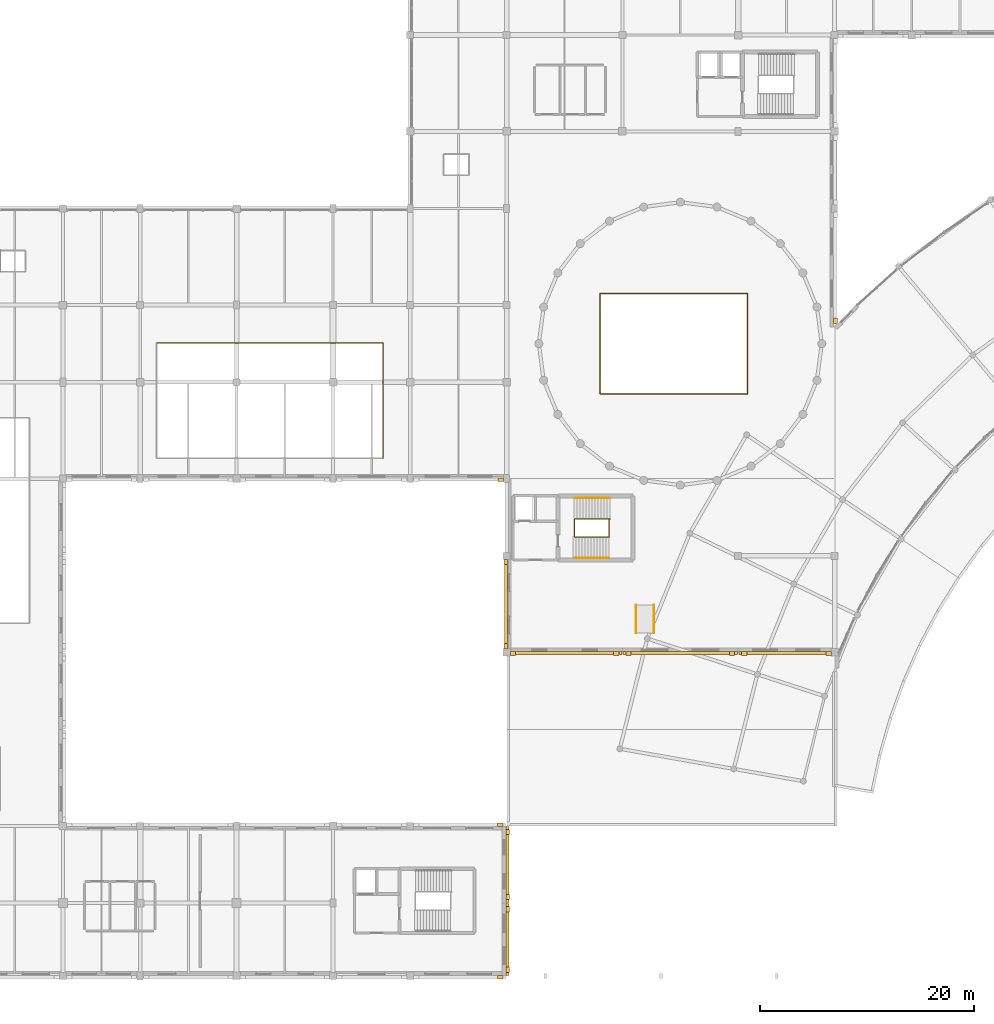
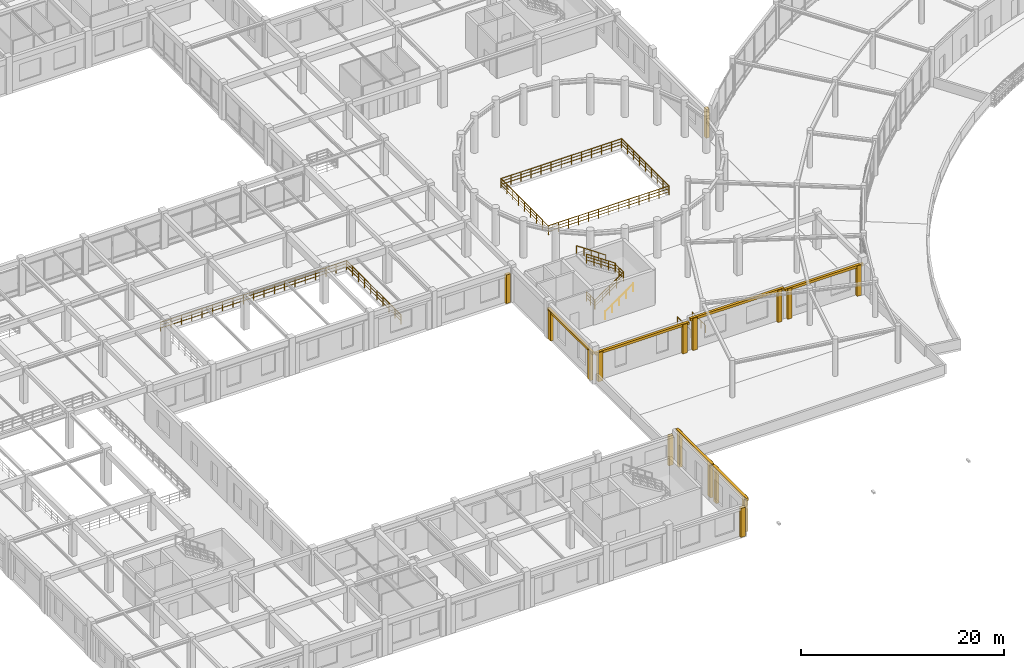
# One storey, part 54 of 62: 22 coverings, 14 railings.
"""IFC4 building model written with IfcOpenShell, lengths in metres."""

from ifc_helpers import new_model, si_unit, direction, frame, frame_2d, origin, origin_2d, place, context, subcontext, project, spatial, rectangle, circle, extrude, material, layer, layer_set, type_object, element, save


model = new_model("IFC4")

# Units and contexts
model_context = context("Model", 3, precision=1e-05, world=origin(), true_north=direction((0.0, 1.0)))
body_context = subcontext(model_context, "Body", "Model", "MODEL_VIEW")
ifc_project = project(units=[si_unit("LENGTHUNIT", "METRE"), si_unit("AREAUNIT", "SQUARE_METRE"), si_unit("VOLUMEUNIT", "CUBIC_METRE"), si_unit("PLANEANGLEUNIT", "RADIAN"), si_unit("MASSUNIT", "GRAM", prefix="KILO")], contexts=[model_context])

# Site, building, storey
site_placement = place(None, origin())
site = spatial("IfcSite", under=ifc_project, at=site_placement, CompositionType="ELEMENT")
building_placement = place(site_placement, origin())
building = spatial("IfcBuilding", under=site, at=building_placement, Name="Clarverna Civic Hall", CompositionType="ELEMENT")
storey_placement = place(building_placement, frame((0.0, 0.0, 5.10009765625)))
storey = spatial("IfcBuildingStorey", under=building, at=storey_placement, Name="L01", CompositionType="ELEMENT", Elevation=5.10009765625)

# Coverings
ifc_material_1 = material(Name="Montjuic Buff Limestone Ashlar Cladding", Category="masonry")
ifc_layer = layer(ifc_material_1, 0.070068359375)
ifc_layer_set = layer_set([ifc_layer], Name="Montjuic Buff Limestone Ashlar Cladding")
covering_type = type_object("IfcCoveringType", Name="CV-CL2", PredefinedType="CLADDING", material=ifc_layer_set)
covering_1_placement = place(storey_placement, frame((97.284912109375, 61.38671875, 0.0), z_axis=(0.0, 0.0, 1.0), x_axis=(0.0, -1.0, 0.0)))
element("IfcCovering", 1, at=covering_1_placement, inside=storey, type_object=covering_type, Name="CV-CL2-314", PredefinedType="CLADDING", context=body_context, shape_type="SweptSolid", body=[
    extrude(rectangle(XDim=0.5, YDim=0.340087890625, at=frame_2d((0.25, 0.0))), origin(), (0.0, 0.0, 1.0), 3.4599609375),
])
covering_2_placement = place(storey_placement, frame((97.1650390625, 30.1201171875, 3.3798828125), z_axis=(0.0, 0.0, 1.0), x_axis=(-1.0, 0.0, 0.0)))
element("IfcCovering", 2, at=covering_2_placement, inside=storey, type_object=covering_type, Name="CV-CL2-317", PredefinedType="CLADDING", context=body_context, shape_type="SweptSolid", body=[
    extrude(rectangle(XDim=8.905029296875, YDim=0.280029296875, at=frame_2d((4.45263671875, 0.0))), origin(), (0.0, 0.0, 1.0), 0.300048828125),
])
for number, where, z_axis, x_axis, name in (
    (3, (96.905029296875, 30.090087890625, 0.0), (0.0, 0.0, 1.0), (-1.0, 0.0, 0.0), "CV-CL2-318"),
    (4, (89.02001953125, 30.090087890625, 0.0), (0.0, 0.0, 1.0), (-1.0, 0.0, 0.0), "CV-CL2-319"),
):
    element("IfcCovering", number, at=place(storey_placement, frame(where, z_axis=z_axis, x_axis=x_axis)), inside=storey, type_object=covering_type, Name=name, PredefinedType="CLADDING", context=body_context, shape_type="SweptSolid", body=[
        extrude(rectangle(XDim=0.5, YDim=0.340087890625, at=frame_2d((0.25, 0.0))), origin(), (0.0, 0.0, 1.0), 3.659912109375),
    ])
covering_3_placement = place(storey_placement, frame((88.139892578125, 30.1201171875, 3.60986328125), z_axis=(0.0, 0.0, 1.0), x_axis=(-1.0, 0.0, 0.0)))
element("IfcCovering", 5, at=covering_3_placement, inside=storey, type_object=covering_type, Name="CV-CL2-320", PredefinedType="CLADDING", context=body_context, shape_type="SweptSolid", body=[
    extrude(rectangle(XDim=10.679931640625, YDim=0.280029296875, at=frame_2d((5.33984375, 0.0))), origin(), (0.0, 0.0, 1.0), 0.300048828125),
])
for number, where, z_axis, x_axis, name in (
    (6, (87.8798828125, 30.090087890625, 0.0), (0.0, 0.0, 1.0), (-1.0, 0.0, 0.0), "CV-CL2-321"),
    (7, (78.219970703125, 30.090087890625, 0.0), (0.0, 0.0, 1.0), (-1.0, 0.0, 0.0), "CV-CL2-322"),
):
    element("IfcCovering", number, at=place(storey_placement, frame(where, z_axis=z_axis, x_axis=x_axis)), inside=storey, type_object=covering_type, Name=name, PredefinedType="CLADDING", context=body_context, shape_type="SweptSolid", body=[
        extrude(rectangle(XDim=0.5, YDim=0.340087890625, at=frame_2d((0.25, 0.0))), origin(), (0.0, 0.0, 1.0), 3.889892578125),
    ])
covering_4_placement = place(storey_placement, frame((77.340087890625, 30.1201171875, 3.260009765625), z_axis=(0.0, 0.0, 1.0), x_axis=(-1.0, 0.0, 0.0)))
element("IfcCovering", 8, at=covering_4_placement, inside=storey, type_object=covering_type, Name="CV-CL2-323", PredefinedType="CLADDING", context=body_context, shape_type="SweptSolid", body=[
    extrude(rectangle(XDim=10.655029296875, YDim=0.280029296875, at=frame_2d((5.32763671875, 0.0))), origin(), (0.0, 0.0, 1.0), 0.2998046875),
])
for number, where, z_axis, x_axis, name in (
    (9, (77.080078125, 30.090087890625, 0.0), (0.0, 0.0, 1.0), (-1.0, 0.0, 0.0), "CV-CL2-324"),
    (10, (67.445068359375, 30.090087890625, 0.0), (0.0, 0.0, 1.0), (-1.0, 0.0, 0.0), "CV-CL2-325"),
):
    element("IfcCovering", number, at=place(storey_placement, frame(where, z_axis=z_axis, x_axis=x_axis)), inside=storey, type_object=covering_type, Name=name, PredefinedType="CLADDING", context=body_context, shape_type="SweptSolid", body=[
        extrude(rectangle(XDim=0.5, YDim=0.340087890625, at=frame_2d((0.25, 0.0))), origin(), (0.0, 0.0, 1.0), 3.539794921875),
    ])
covering_5_placement = place(storey_placement, frame((66.544921875, 30.260009765625, 3.260009765625), z_axis=(0.0, 0.0, 1.0), x_axis=(0.0, 1.0, 0.0)))
element("IfcCovering", 11, at=covering_5_placement, inside=storey, type_object=covering_type, Name="CV-CL2-326", PredefinedType="CLADDING", context=body_context, shape_type="SweptSolid", body=[
    extrude(rectangle(XDim=8.8798828125, YDim=0.280029296875, at=frame_2d((4.43994140625, 0.0))), origin(), (0.0, 0.0, 1.0), 0.2998046875),
])
for number, where, z_axis, x_axis, name in (
    (12, (66.514892578125, 30.52001953125, 0.0), (0.0, 0.0, 1.0), (0.0, 1.0, 0.0), "CV-CL2-327"),
    (13, (66.514892578125, 38.3798828125, 0.0), (0.0, 0.0, 1.0), (0.0, 1.0, 0.0), "CV-CL2-328"),
):
    element("IfcCovering", number, at=place(storey_placement, frame(where, z_axis=z_axis, x_axis=x_axis)), inside=storey, type_object=covering_type, Name=name, PredefinedType="CLADDING", context=body_context, shape_type="SweptSolid", body=[
        extrude(rectangle(XDim=0.5, YDim=0.340087890625, at=frame_2d((0.25, 0.0))), origin(), (0.0, 0.0, 1.0), 3.539794921875),
    ])
covering_6_placement = place(storey_placement, frame((66.304931640625, 46.2900390625, 0.0), z_axis=(0.0, 0.0, 1.0), x_axis=(-1.0, 0.0, 0.0)))
element("IfcCovering", 14, at=covering_6_placement, inside=storey, type_object=covering_type, Name="CV-CL2-330", PredefinedType="CLADDING", context=body_context, shape_type="SweptSolid", body=[
    extrude(rectangle(XDim=0.5, YDim=0.340087890625, at=frame_2d((0.25, 0.0))), origin(), (0.0, 0.0, 1.0), 3.4599609375),
])
covering_7_placement = place(storey_placement, frame((65.7548828125, 14.110107421875, 0.0), z_axis=(0.0, 0.0, 1.0), x_axis=(1.0, 0.0, 0.0)))
element("IfcCovering", 15, at=covering_7_placement, inside=storey, type_object=covering_type, Name="CV-CL2-370", PredefinedType="CLADDING", context=body_context, shape_type="SweptSolid", body=[
    extrude(rectangle(XDim=0.5, YDim=0.340087890625, at=frame_2d((0.25, 0.0))), origin(), (0.0, 0.0, 1.0), 3.539794921875),
])
covering_8_placement = place(storey_placement, frame((66.655029296875, 13.93994140625, 3.93994140625), z_axis=(0.0, 0.0, 1.0), x_axis=(0.0, -1.0, 0.0)))
element("IfcCovering", 16, at=covering_8_placement, inside=storey, type_object=covering_type, Name="CV-CL2-371", PredefinedType="CLADDING", context=body_context, shape_type="SweptSolid", body=[
    extrude(rectangle(XDim=7.079833984375, YDim=0.280029296875, at=frame_2d((3.5400390625, 0.0))), origin(), (0.0, 0.0, 1.0), 0.300048828125),
])
for number, where, z_axis, x_axis, name in (
    (17, (66.68505859375, 13.679931640625, 0.0), (0.0, 0.0, 1.0), (0.0, -1.0, 0.0), "CV-CL2-372"),
    (18, (66.68505859375, 7.6201171875, 0.0), (0.0, 0.0, 1.0), (0.0, -1.0, 0.0), "CV-CL2-373"),
):
    element("IfcCovering", number, at=place(storey_placement, frame(where, z_axis=z_axis, x_axis=x_axis)), inside=storey, type_object=covering_type, Name=name, PredefinedType="CLADDING", context=body_context, shape_type="SweptSolid", body=[
        extrude(rectangle(XDim=0.5, YDim=0.340087890625, at=frame_2d((0.25, 0.0))), origin(), (0.0, 0.0, 1.0), 4.219970703125),
    ])
covering_9_placement = place(storey_placement, frame((66.655029296875, 6.739990234375, 3.93994140625), z_axis=(0.0, 0.0, 1.0), x_axis=(0.0, -1.0, 0.0)))
element("IfcCovering", 19, at=covering_9_placement, inside=storey, type_object=covering_type, Name="CV-CL2-374", PredefinedType="CLADDING", context=body_context, shape_type="SweptSolid", body=[
    extrude(rectangle(XDim=6.679931640625, YDim=0.280029296875, at=frame_2d((3.33984375, 0.0))), origin(), (0.0, 0.0, 1.0), 0.300048828125),
])
for number, where, z_axis, x_axis, name in (
    (20, (66.68505859375, 6.47998046875, 0.0), (0.0, 0.0, 1.0), (0.0, -1.0, 0.0), "CV-CL2-375"),
    (21, (66.68505859375, 0.820068359375, 0.0), (0.0, 0.0, 1.0), (0.0, -1.0, 0.0), "CV-CL2-376"),
):
    element("IfcCovering", number, at=place(storey_placement, frame(where, z_axis=z_axis, x_axis=x_axis)), inside=storey, type_object=covering_type, Name=name, PredefinedType="CLADDING", context=body_context, shape_type="SweptSolid", body=[
        extrude(rectangle(XDim=0.5, YDim=0.340087890625, at=frame_2d((0.25, 0.0))), origin(), (0.0, 0.0, 1.0), 4.219970703125),
    ])
covering_10_placement = place(storey_placement, frame((66.2548828125, -0.110107421875, 0.0), z_axis=(0.0, 0.0, 1.0), x_axis=(-1.0, 0.0, 0.0)))
element("IfcCovering", 22, at=covering_10_placement, inside=storey, type_object=covering_type, Name="CV-CL2-378", PredefinedType="CLADDING", context=body_context, shape_type="SweptSolid", body=[
    extrude(rectangle(XDim=0.5, YDim=0.340087890625, at=frame_2d((0.25, 0.0))), origin(), (0.0, 0.0, 1.0), 3.5),
])

# Railings
ifc_material_2 = material(Name="Anodised Bronze Architectural Balustrade")
railing_type_1 = type_object("IfcRailingType", Name="GR-02", PredefinedType="BALUSTRADE", material=ifc_material_2)
railing_1_placement = place(storey_placement, frame((72.949951171875, 40.9599609375, 0.0)))
element("IfcRailing", 23, at=railing_1_placement, inside=storey, type_object=railing_type_1, Name="GR-02-095", PredefinedType="BALUSTRADE", context=body_context, shape_type="SweptSolid", body=[
    extrude(circle(Radius=0.02392578125, at=origin_2d()), frame((0.0, 0.0, 1.09619140625), z_axis=(0.818457937252, 0.0, 0.574566449551), x_axis=(0.0, 1.0, 0.0)), (0.0, 0.0, 1.0), 3.916015625),
    extrude(circle(Radius=0.011962890625, at=origin_2d()), frame((0.0, 0.0, 0.39208984375), z_axis=(0.818457937252, 0.0, 0.574566449551), x_axis=(0.0, 1.0, 0.0)), (0.0, 0.0, 1.0), 3.916015625),
    extrude(circle(Radius=0.011962890625, at=origin_2d()), frame((0.0, 0.0, 0.76171875), z_axis=(0.818457937252, 0.0, 0.574566449551), x_axis=(0.0, 1.0, 0.0)), (0.0, 0.0, 1.0), 3.916015625),
    extrude(circle(Radius=0.02099609375, at=origin_2d()), origin(), (0.0, 0.0, 1.0), 1.072021484375),
    extrude(circle(Radius=0.02099609375, at=origin_2d()), frame((0.80126953125, 0.0, 0.5625)), (0.0, 0.0, 1.0), 1.072021484375),
    extrude(circle(Radius=0.02099609375, at=origin_2d()), frame((1.6025390625, 0.0, 1.125)), (0.0, 0.0, 1.0), 1.072021484375),
    extrude(circle(Radius=0.02099609375, at=origin_2d()), frame((2.40380859375, 0.0, 1.6875)), (0.0, 0.0, 1.0), 1.072021484375),
    extrude(circle(Radius=0.02099609375, at=origin_2d()), frame((3.205078125, 0.0, 2.25)), (0.0, 0.0, 1.0), 1.072021484375),
])
railing_2_placement = place(storey_placement, frame((76.155029296875, 40.9599609375, 2.25)))
element("IfcRailing", 24, at=railing_2_placement, inside=storey, type_object=railing_type_1, Name="GR-02-096", PredefinedType="BALUSTRADE", context=body_context, shape_type="SweptSolid", body=[
    extrude(circle(Radius=0.02392578125, at=origin_2d()), frame((0.0, 0.0, 1.09619140625), z_axis=(0.0, 1.0, 0.0), x_axis=(-1.0, 0.0, 0.0)), (0.0, 0.0, 1.0), 1.679931640625),
    extrude(circle(Radius=0.011962890625, at=origin_2d()), frame((0.0, 0.0, 0.39208984375), z_axis=(0.0, 1.0, 0.0), x_axis=(-1.0, 0.0, 0.0)), (0.0, 0.0, 1.0), 1.679931640625),
    extrude(circle(Radius=0.011962890625, at=origin_2d()), frame((0.0, 0.0, 0.76171875), z_axis=(0.0, 1.0, 0.0), x_axis=(-1.0, 0.0, 0.0)), (0.0, 0.0, 1.0), 1.679931640625),
    extrude(circle(Radius=0.02099609375, at=origin_2d()), origin(), (0.0, 0.0, 1.0), 1.072021484375),
    extrude(circle(Radius=0.02099609375, at=origin_2d()), frame((0.0, 0.83984375, 0.0)), (0.0, 0.0, 1.0), 1.072021484375),
    extrude(circle(Radius=0.02099609375, at=origin_2d()), frame((0.0, 1.679931640625, 0.0)), (0.0, 0.0, 1.0), 1.072021484375),
])
railing_3_placement = place(storey_placement, frame((76.2451171875, 42.639892578125, 2.25)))
element("IfcRailing", 25, at=railing_3_placement, inside=storey, type_object=railing_type_1, Name="GR-02-097", PredefinedType="BALUSTRADE", context=body_context, shape_type="SweptSolid", body=[
    extrude(circle(Radius=0.02392578125, at=origin_2d()), frame((0.0, 0.0, 1.09619140625), z_axis=(-0.825842681189, 0.0, 0.563900581598), x_axis=(0.0, -1.0, 0.0)), (0.0, 0.0, 1.0), 3.989990234375),
    extrude(circle(Radius=0.011962890625, at=origin_2d()), frame((0.0, 0.0, 0.39208984375), z_axis=(-0.825842681189, 0.0, 0.563900581598), x_axis=(0.0, -1.0, 0.0)), (0.0, 0.0, 1.0), 3.989990234375),
    extrude(circle(Radius=0.011962890625, at=origin_2d()), frame((0.0, 0.0, 0.76171875), z_axis=(-0.825842681189, 0.0, 0.563900581598), x_axis=(0.0, -1.0, 0.0)), (0.0, 0.0, 1.0), 3.989990234375),
    extrude(circle(Radius=0.02099609375, at=origin_2d()), origin(), (0.0, 0.0, 1.0), 1.072021484375),
    extrude(circle(Radius=0.02099609375, at=origin_2d()), frame((-0.82373046875, 0.0, 0.5625)), (0.0, 0.0, 1.0), 1.072021484375),
    extrude(circle(Radius=0.02099609375, at=origin_2d()), frame((-1.6474609375, 0.0, 1.125)), (0.0, 0.0, 1.0), 1.072021484375),
    extrude(circle(Radius=0.02099609375, at=origin_2d()), frame((-2.471435546875, 0.0, 1.6875)), (0.0, 0.0, 1.0), 1.072021484375),
    extrude(circle(Radius=0.02099609375, at=origin_2d()), frame((-3.295166015625, 0.0, 2.25)), (0.0, 0.0, 1.0), 1.072021484375),
])
railing_4_placement = place(storey_placement, frame((72.909912109375, 41.0, 0.0)))
element("IfcRailing", 26, at=railing_4_placement, inside=storey, type_object=railing_type_1, Name="GR-02-098", PredefinedType="BALUSTRADE", context=body_context, shape_type="SweptSolid", body=[
    extrude(circle(Radius=0.02392578125, at=origin_2d()), frame((0.0, 0.0, 1.09619140625), z_axis=(0.0, 1.0, 0.0), x_axis=(-1.0, 0.0, 0.0)), (0.0, 0.0, 1.0), 1.60009765625),
    extrude(circle(Radius=0.011962890625, at=origin_2d()), frame((0.0, 0.0, 0.39208984375), z_axis=(0.0, 1.0, 0.0), x_axis=(-1.0, 0.0, 0.0)), (0.0, 0.0, 1.0), 1.60009765625),
    extrude(circle(Radius=0.011962890625, at=origin_2d()), frame((0.0, 0.0, 0.76171875), z_axis=(0.0, 1.0, 0.0), x_axis=(-1.0, 0.0, 0.0)), (0.0, 0.0, 1.0), 1.60009765625),
    extrude(circle(Radius=0.02099609375, at=origin_2d()), origin(), (0.0, 0.0, 1.0), 1.072021484375),
    extrude(circle(Radius=0.02099609375, at=origin_2d()), frame((0.0, 0.800048828125, 0.0)), (0.0, 0.0, 1.0), 1.072021484375),
    extrude(circle(Radius=0.02099609375, at=origin_2d()), frame((0.0, 1.60009765625, 0.0)), (0.0, 0.0, 1.0), 1.072021484375),
])
railing_5_placement = place(storey_placement, frame((75.320068359375, 54.320068359375, 0.0)))
element("IfcRailing", 27, at=railing_5_placement, inside=storey, type_object=railing_type_1, Name="GR-02-212", PredefinedType="BALUSTRADE", context=body_context, shape_type="SweptSolid", body=[
    extrude(circle(Radius=0.02392578125, at=origin_2d()), frame((0.0, 0.0, 1.09619140625), z_axis=(0.0, 1.0, 0.0), x_axis=(-1.0, 0.0, 0.0)), (0.0, 0.0, 1.0), 9.35986328125),
    extrude(circle(Radius=0.011962890625, at=origin_2d()), frame((0.0, 0.0, 0.39208984375), z_axis=(0.0, 1.0, 0.0), x_axis=(-1.0, 0.0, 0.0)), (0.0, 0.0, 1.0), 9.35986328125),
    extrude(circle(Radius=0.011962890625, at=origin_2d()), frame((0.0, 0.0, 0.76171875), z_axis=(0.0, 1.0, 0.0), x_axis=(-1.0, 0.0, 0.0)), (0.0, 0.0, 1.0), 9.35986328125),
    extrude(circle(Radius=0.02099609375, at=origin_2d()), origin(), (0.0, 0.0, 1.0), 1.072021484375),
    extrude(circle(Radius=0.02099609375, at=origin_2d()), frame((0.0, 1.169921875, 0.0)), (0.0, 0.0, 1.0), 1.072021484375),
    extrude(circle(Radius=0.02099609375, at=origin_2d()), frame((0.0, 2.33984375, 0.0)), (0.0, 0.0, 1.0), 1.072021484375),
    extrude(circle(Radius=0.02099609375, at=origin_2d()), frame((0.0, 3.510009765625, 0.0)), (0.0, 0.0, 1.0), 1.072021484375),
    extrude(circle(Radius=0.02099609375, at=origin_2d()), frame((0.0, 4.679931640625, 0.0)), (0.0, 0.0, 1.0), 1.072021484375),
    extrude(circle(Radius=0.02099609375, at=origin_2d()), frame((0.0, 5.849853515625, 0.0)), (0.0, 0.0, 1.0), 1.072021484375),
    extrude(circle(Radius=0.02099609375, at=origin_2d()), frame((0.0, 7.02001953125, 0.0)), (0.0, 0.0, 1.0), 1.072021484375),
    extrude(circle(Radius=0.02099609375, at=origin_2d()), frame((0.0, 8.18994140625, 0.0)), (0.0, 0.0, 1.0), 1.072021484375),
    extrude(circle(Radius=0.02099609375, at=origin_2d()), frame((0.0, 9.35986328125, 0.0)), (0.0, 0.0, 1.0), 1.072021484375),
])
railing_6_placement = place(storey_placement, frame((75.320068359375, 63.679931640625, 0.0)))
element("IfcRailing", 28, at=railing_6_placement, inside=storey, type_object=railing_type_1, Name="GR-02-213", PredefinedType="BALUSTRADE", context=body_context, shape_type="SweptSolid", body=[
    extrude(circle(Radius=0.02392578125, at=origin_2d()), frame((0.0, 0.0, 1.09619140625), z_axis=(1.0, 0.0, 0.0), x_axis=(0.0, 1.0, 0.0)), (0.0, 0.0, 1.0), 13.760009765625),
    extrude(circle(Radius=0.011962890625, at=origin_2d()), frame((0.0, 0.0, 0.39208984375), z_axis=(1.0, 0.0, 0.0), x_axis=(0.0, 1.0, 0.0)), (0.0, 0.0, 1.0), 13.760009765625),
    extrude(circle(Radius=0.011962890625, at=origin_2d()), frame((0.0, 0.0, 0.76171875), z_axis=(1.0, 0.0, 0.0), x_axis=(0.0, 1.0, 0.0)), (0.0, 0.0, 1.0), 13.760009765625),
    extrude(circle(Radius=0.02099609375, at=origin_2d()), origin(), (0.0, 0.0, 1.0), 1.072021484375),
    extrude(circle(Radius=0.02099609375, at=origin_2d()), frame((1.146728515625, 0.0, 0.0)), (0.0, 0.0, 1.0), 1.072021484375),
    extrude(circle(Radius=0.02099609375, at=origin_2d()), frame((2.29345703125, 0.0, 0.0)), (0.0, 0.0, 1.0), 1.072021484375),
    extrude(circle(Radius=0.02099609375, at=origin_2d()), frame((3.43994140625, 0.0, 0.0)), (0.0, 0.0, 1.0), 1.072021484375),
    extrude(circle(Radius=0.02099609375, at=origin_2d()), frame((4.586669921875, 0.0, 0.0)), (0.0, 0.0, 1.0), 1.072021484375),
    extrude(circle(Radius=0.02099609375, at=origin_2d()), frame((5.7333984375, 0.0, 0.0)), (0.0, 0.0, 1.0), 1.072021484375),
    extrude(circle(Radius=0.02099609375, at=origin_2d()), frame((6.8798828125, 0.0, 0.0)), (0.0, 0.0, 1.0), 1.072021484375),
    extrude(circle(Radius=0.02099609375, at=origin_2d()), frame((8.026611328125, 0.0, 0.0)), (0.0, 0.0, 1.0), 1.072021484375),
    extrude(circle(Radius=0.02099609375, at=origin_2d()), frame((9.17333984375, 0.0, 0.0)), (0.0, 0.0, 1.0), 1.072021484375),
    extrude(circle(Radius=0.02099609375, at=origin_2d()), frame((10.320068359375, 0.0, 0.0)), (0.0, 0.0, 1.0), 1.072021484375),
    extrude(circle(Radius=0.02099609375, at=origin_2d()), frame((11.466796875, 0.0, 0.0)), (0.0, 0.0, 1.0), 1.072021484375),
    extrude(circle(Radius=0.02099609375, at=origin_2d()), frame((12.61328125, 0.0, 0.0)), (0.0, 0.0, 1.0), 1.072021484375),
    extrude(circle(Radius=0.02099609375, at=origin_2d()), frame((13.760009765625, 0.0, 0.0)), (0.0, 0.0, 1.0), 1.072021484375),
])
railing_7_placement = place(storey_placement, frame((89.080078125, 63.679931640625, 0.0)))
element("IfcRailing", 29, at=railing_7_placement, inside=storey, type_object=railing_type_1, Name="GR-02-214", PredefinedType="BALUSTRADE", context=body_context, shape_type="SweptSolid", body=[
    extrude(circle(Radius=0.02392578125, at=origin_2d()), frame((0.0, 0.0, 1.09619140625), z_axis=(0.0, -1.0, 0.0), x_axis=(1.0, 0.0, 0.0)), (0.0, 0.0, 1.0), 9.35986328125),
    extrude(circle(Radius=0.011962890625, at=origin_2d()), frame((0.0, 0.0, 0.39208984375), z_axis=(0.0, -1.0, 0.0), x_axis=(1.0, 0.0, 0.0)), (0.0, 0.0, 1.0), 9.35986328125),
    extrude(circle(Radius=0.011962890625, at=origin_2d()), frame((0.0, 0.0, 0.76171875), z_axis=(0.0, -1.0, 0.0), x_axis=(1.0, 0.0, 0.0)), (0.0, 0.0, 1.0), 9.35986328125),
    extrude(circle(Radius=0.02099609375, at=origin_2d()), origin(), (0.0, 0.0, 1.0), 1.072021484375),
    extrude(circle(Radius=0.02099609375, at=origin_2d()), frame((0.0, -1.169921875, 0.0)), (0.0, 0.0, 1.0), 1.072021484375),
    extrude(circle(Radius=0.02099609375, at=origin_2d()), frame((0.0, -2.33984375, 0.0)), (0.0, 0.0, 1.0), 1.072021484375),
    extrude(circle(Radius=0.02099609375, at=origin_2d()), frame((0.0, -3.510009765625, 0.0)), (0.0, 0.0, 1.0), 1.072021484375),
    extrude(circle(Radius=0.02099609375, at=origin_2d()), frame((0.0, -4.679931640625, 0.0)), (0.0, 0.0, 1.0), 1.072021484375),
    extrude(circle(Radius=0.02099609375, at=origin_2d()), frame((0.0, -5.849853515625, 0.0)), (0.0, 0.0, 1.0), 1.072021484375),
    extrude(circle(Radius=0.02099609375, at=origin_2d()), frame((0.0, -7.02001953125, 0.0)), (0.0, 0.0, 1.0), 1.072021484375),
    extrude(circle(Radius=0.02099609375, at=origin_2d()), frame((0.0, -8.18994140625, 0.0)), (0.0, 0.0, 1.0), 1.072021484375),
    extrude(circle(Radius=0.02099609375, at=origin_2d()), frame((0.0, -9.35986328125, 0.0)), (0.0, 0.0, 1.0), 1.072021484375),
])
railing_8_placement = place(storey_placement, frame((89.080078125, 54.320068359375, 0.0)))
element("IfcRailing", 30, at=railing_8_placement, inside=storey, type_object=railing_type_1, Name="GR-02-215", PredefinedType="BALUSTRADE", context=body_context, shape_type="SweptSolid", body=[
    extrude(circle(Radius=0.02392578125, at=origin_2d()), frame((0.0, 0.0, 1.09619140625), z_axis=(-1.0, 0.0, 0.0), x_axis=(0.0, -1.0, 0.0)), (0.0, 0.0, 1.0), 13.760009765625),
    extrude(circle(Radius=0.011962890625, at=origin_2d()), frame((0.0, 0.0, 0.39208984375), z_axis=(-1.0, 0.0, 0.0), x_axis=(0.0, -1.0, 0.0)), (0.0, 0.0, 1.0), 13.760009765625),
    extrude(circle(Radius=0.011962890625, at=origin_2d()), frame((0.0, 0.0, 0.76171875), z_axis=(-1.0, 0.0, 0.0), x_axis=(0.0, -1.0, 0.0)), (0.0, 0.0, 1.0), 13.760009765625),
    extrude(circle(Radius=0.02099609375, at=origin_2d()), origin(), (0.0, 0.0, 1.0), 1.072021484375),
    extrude(circle(Radius=0.02099609375, at=origin_2d()), frame((-1.146728515625, 0.0, 0.0)), (0.0, 0.0, 1.0), 1.072021484375),
    extrude(circle(Radius=0.02099609375, at=origin_2d()), frame((-2.29345703125, 0.0, 0.0)), (0.0, 0.0, 1.0), 1.072021484375),
    extrude(circle(Radius=0.02099609375, at=origin_2d()), frame((-3.43994140625, 0.0, 0.0)), (0.0, 0.0, 1.0), 1.072021484375),
    extrude(circle(Radius=0.02099609375, at=origin_2d()), frame((-4.586669921875, 0.0, 0.0)), (0.0, 0.0, 1.0), 1.072021484375),
    extrude(circle(Radius=0.02099609375, at=origin_2d()), frame((-5.7333984375, 0.0, 0.0)), (0.0, 0.0, 1.0), 1.072021484375),
    extrude(circle(Radius=0.02099609375, at=origin_2d()), frame((-6.8798828125, 0.0, 0.0)), (0.0, 0.0, 1.0), 1.072021484375),
    extrude(circle(Radius=0.02099609375, at=origin_2d()), frame((-8.026611328125, 0.0, 0.0)), (0.0, 0.0, 1.0), 1.072021484375),
    extrude(circle(Radius=0.02099609375, at=origin_2d()), frame((-9.17333984375, 0.0, 0.0)), (0.0, 0.0, 1.0), 1.072021484375),
    extrude(circle(Radius=0.02099609375, at=origin_2d()), frame((-10.320068359375, 0.0, 0.0)), (0.0, 0.0, 1.0), 1.072021484375),
    extrude(circle(Radius=0.02099609375, at=origin_2d()), frame((-11.466796875, 0.0, 0.0)), (0.0, 0.0, 1.0), 1.072021484375),
    extrude(circle(Radius=0.02099609375, at=origin_2d()), frame((-12.61328125, 0.0, 0.0)), (0.0, 0.0, 1.0), 1.072021484375),
    extrude(circle(Radius=0.02099609375, at=origin_2d()), frame((-13.760009765625, 0.0, 0.0)), (0.0, 0.0, 1.0), 1.072021484375),
])
railing_9_placement = place(storey_placement, frame((33.919921875, 59.080078125, 0.0)))
element("IfcRailing", 31, at=railing_9_placement, inside=storey, type_object=railing_type_1, Name="GR-02-229", PredefinedType="BALUSTRADE", context=body_context, shape_type="SweptSolid", body=[
    extrude(circle(Radius=0.02392578125, at=origin_2d()), frame((0.0, 0.0, 1.09619140625), z_axis=(1.0, 0.0, 0.0), x_axis=(0.0, 1.0, 0.0)), (0.0, 0.0, 1.0), 21.16015625),
    extrude(circle(Radius=0.011962890625, at=origin_2d()), frame((0.0, 0.0, 0.39208984375), z_axis=(1.0, 0.0, 0.0), x_axis=(0.0, 1.0, 0.0)), (0.0, 0.0, 1.0), 21.16015625),
    extrude(circle(Radius=0.011962890625, at=origin_2d()), frame((0.0, 0.0, 0.76171875), z_axis=(1.0, 0.0, 0.0), x_axis=(0.0, 1.0, 0.0)), (0.0, 0.0, 1.0), 21.16015625),
    extrude(circle(Radius=0.02099609375, at=origin_2d()), origin(), (0.0, 0.0, 1.0), 1.072021484375),
    extrude(circle(Radius=0.02099609375, at=origin_2d()), frame((1.175537109375, 0.0, 0.0)), (0.0, 0.0, 1.0), 1.072021484375),
    extrude(circle(Radius=0.02099609375, at=origin_2d()), frame((2.35107421875, 0.0, 0.0)), (0.0, 0.0, 1.0), 1.072021484375),
    extrude(circle(Radius=0.02099609375, at=origin_2d()), frame((3.526611328125, 0.0, 0.0)), (0.0, 0.0, 1.0), 1.072021484375),
    extrude(circle(Radius=0.02099609375, at=origin_2d()), frame((4.7021484375, 0.0, 0.0)), (0.0, 0.0, 1.0), 1.072021484375),
    extrude(circle(Radius=0.02099609375, at=origin_2d()), frame((5.8779296875, 0.0, 0.0)), (0.0, 0.0, 1.0), 1.072021484375),
    extrude(circle(Radius=0.02099609375, at=origin_2d()), frame((7.053466796875, 0.0, 0.0)), (0.0, 0.0, 1.0), 1.072021484375),
    extrude(circle(Radius=0.02099609375, at=origin_2d()), frame((8.22900390625, 0.0, 0.0)), (0.0, 0.0, 1.0), 1.072021484375),
    extrude(circle(Radius=0.02099609375, at=origin_2d()), frame((9.404541015625, 0.0, 0.0)), (0.0, 0.0, 1.0), 1.072021484375),
    extrude(circle(Radius=0.02099609375, at=origin_2d()), frame((10.580078125, 0.0, 0.0)), (0.0, 0.0, 1.0), 1.072021484375),
    extrude(circle(Radius=0.02099609375, at=origin_2d()), frame((11.755615234375, 0.0, 0.0)), (0.0, 0.0, 1.0), 1.072021484375),
    extrude(circle(Radius=0.02099609375, at=origin_2d()), frame((12.93115234375, 0.0, 0.0)), (0.0, 0.0, 1.0), 1.072021484375),
    extrude(circle(Radius=0.02099609375, at=origin_2d()), frame((14.106689453125, 0.0, 0.0)), (0.0, 0.0, 1.0), 1.072021484375),
    extrude(circle(Radius=0.02099609375, at=origin_2d()), frame((15.2822265625, 0.0, 0.0)), (0.0, 0.0, 1.0), 1.072021484375),
    extrude(circle(Radius=0.02099609375, at=origin_2d()), frame((16.4580078125, 0.0, 0.0)), (0.0, 0.0, 1.0), 1.072021484375),
    extrude(circle(Radius=0.02099609375, at=origin_2d()), frame((17.633544921875, 0.0, 0.0)), (0.0, 0.0, 1.0), 1.072021484375),
    extrude(circle(Radius=0.02099609375, at=origin_2d()), frame((18.80908203125, 0.0, 0.0)), (0.0, 0.0, 1.0), 1.072021484375),
    extrude(circle(Radius=0.02099609375, at=origin_2d()), frame((19.984619140625, 0.0, 0.0)), (0.0, 0.0, 1.0), 1.072021484375),
    extrude(circle(Radius=0.02099609375, at=origin_2d()), frame((21.16015625, 0.0, 0.0)), (0.0, 0.0, 1.0), 1.072021484375),
])
railing_10_placement = place(storey_placement, frame((55.080078125, 59.080078125, 0.0)))
element("IfcRailing", 32, at=railing_10_placement, inside=storey, type_object=railing_type_1, Name="GR-02-230", PredefinedType="BALUSTRADE", context=body_context, shape_type="SweptSolid", body=[
    extrude(circle(Radius=0.02392578125, at=origin_2d()), frame((0.0, 0.0, 1.09619140625), z_axis=(0.0, -1.0, 0.0), x_axis=(1.0, 0.0, 0.0)), (0.0, 0.0, 1.0), 10.760009765625),
    extrude(circle(Radius=0.011962890625, at=origin_2d()), frame((0.0, 0.0, 0.39208984375), z_axis=(0.0, -1.0, 0.0), x_axis=(1.0, 0.0, 0.0)), (0.0, 0.0, 1.0), 10.760009765625),
    extrude(circle(Radius=0.011962890625, at=origin_2d()), frame((0.0, 0.0, 0.76171875), z_axis=(0.0, -1.0, 0.0), x_axis=(1.0, 0.0, 0.0)), (0.0, 0.0, 1.0), 10.760009765625),
    extrude(circle(Radius=0.02099609375, at=origin_2d()), origin(), (0.0, 0.0, 1.0), 1.072021484375),
    extrude(circle(Radius=0.02099609375, at=origin_2d()), frame((0.0, -1.195556640625, 0.0)), (0.0, 0.0, 1.0), 1.072021484375),
    extrude(circle(Radius=0.02099609375, at=origin_2d()), frame((0.0, -2.39111328125, 0.0)), (0.0, 0.0, 1.0), 1.072021484375),
    extrude(circle(Radius=0.02099609375, at=origin_2d()), frame((0.0, -3.586669921875, 0.0)), (0.0, 0.0, 1.0), 1.072021484375),
    extrude(circle(Radius=0.02099609375, at=origin_2d()), frame((0.0, -4.7822265625, 0.0)), (0.0, 0.0, 1.0), 1.072021484375),
    extrude(circle(Radius=0.02099609375, at=origin_2d()), frame((0.0, -5.977783203125, 0.0)), (0.0, 0.0, 1.0), 1.072021484375),
    extrude(circle(Radius=0.02099609375, at=origin_2d()), frame((0.0, -7.17333984375, 0.0)), (0.0, 0.0, 1.0), 1.072021484375),
    extrude(circle(Radius=0.02099609375, at=origin_2d()), frame((0.0, -8.368896484375, 0.0)), (0.0, 0.0, 1.0), 1.072021484375),
    extrude(circle(Radius=0.02099609375, at=origin_2d()), frame((0.0, -9.564453125, 0.0)), (0.0, 0.0, 1.0), 1.072021484375),
    extrude(circle(Radius=0.02099609375, at=origin_2d()), frame((0.0, -10.760009765625, 0.0)), (0.0, 0.0, 1.0), 1.072021484375),
])
ifc_material_3 = material(Name="Anodised Bronze Continuous Handrail")
railing_type_2 = type_object("IfcRailingType", Name="HR-01", PredefinedType="HANDRAIL", material=ifc_material_3)
railing_11_placement = place(storey_placement, frame((72.949951171875, 38.97998046875, 0.0)))
element("IfcRailing", 33, at=railing_11_placement, inside=storey, type_object=railing_type_2, Name="HR-01-047", PredefinedType="HANDRAIL", context=body_context, shape_type="SweptSolid", body=[
    extrude(circle(Radius=0.02392578125, at=origin_2d()), frame((0.0, 0.0, 0.89599609375), z_axis=(0.817175802515, 0.0, 0.576388504208), x_axis=(0.0, 1.0, 0.0)), (0.0, 0.0, 1.0), 3.903564453125),
    extrude(circle(Radius=0.02099609375, at=origin_2d()), origin(), (0.0, 0.0, 1.0), 0.871826171875),
    extrude(circle(Radius=0.02099609375, at=origin_2d()), frame((0.79736328125, 0.0, 0.5625)), (0.0, 0.0, 1.0), 0.871826171875),
    extrude(circle(Radius=0.02099609375, at=origin_2d()), frame((1.594970703125, 0.0, 1.125)), (0.0, 0.0, 1.0), 0.871826171875),
    extrude(circle(Radius=0.02099609375, at=origin_2d()), frame((2.392578125, 0.0, 1.6875)), (0.0, 0.0, 1.0), 0.871826171875),
    extrude(circle(Radius=0.02099609375, at=origin_2d()), frame((3.18994140625, 0.0, 2.25)), (0.0, 0.0, 1.0), 0.871826171875),
])
railing_12_placement = place(storey_placement, frame((76.260009765625, 44.6201171875, 2.25)))
element("IfcRailing", 34, at=railing_12_placement, inside=storey, type_object=railing_type_2, Name="HR-01-048", PredefinedType="HANDRAIL", context=body_context, shape_type="SweptSolid", body=[
    extrude(circle(Radius=0.02392578125, at=origin_2d()), frame((0.0, 0.0, 0.89599609375), z_axis=(-0.82702406128, 0.0, 0.562166525207), x_axis=(0.0, -1.0, 0.0)), (0.0, 0.0, 1.0), 4.00244140625),
    extrude(circle(Radius=0.02099609375, at=origin_2d()), origin(), (0.0, 0.0, 1.0), 0.871826171875),
    extrude(circle(Radius=0.02099609375, at=origin_2d()), frame((-0.82763671875, 0.0, 0.5625)), (0.0, 0.0, 1.0), 0.871826171875),
    extrude(circle(Radius=0.02099609375, at=origin_2d()), frame((-1.655029296875, 0.0, 1.125)), (0.0, 0.0, 1.0), 0.871826171875),
    extrude(circle(Radius=0.02099609375, at=origin_2d()), frame((-2.482421875, 0.0, 1.6875)), (0.0, 0.0, 1.0), 0.871826171875),
    extrude(circle(Radius=0.02099609375, at=origin_2d()), frame((-3.31005859375, 0.0, 2.25)), (0.0, 0.0, 1.0), 0.871826171875),
])
for number, where, name in (
    (35, (78.659912109375, 32.0, 0.0), "HR-01-107"),
    (36, (80.340087890625, 32.0, 0.0), "HR-01-108"),
):
    element("IfcRailing", number, at=place(storey_placement, frame(where)), inside=storey, type_object=railing_type_2, Name=name, PredefinedType="HANDRAIL", context=body_context, shape_type="SweptSolid", body=[
        extrude(circle(Radius=0.02392578125, at=origin_2d()), frame((0.0, 0.0, 0.89599609375), z_axis=(0.0, 0.999970359933, 0.007699302302), x_axis=(-1.0, 0.0, 0.0)), (0.0, 0.0, 1.0), 2.60009765625),
        extrude(circle(Radius=0.02099609375, at=origin_2d()), origin(), (0.0, 0.0, 1.0), 0.871826171875),
        extrude(circle(Radius=0.02099609375, at=origin_2d()), frame((0.0, 0.86669921875, 0.006591796875)), (0.0, 0.0, 1.0), 0.871826171875),
        extrude(circle(Radius=0.02099609375, at=origin_2d()), frame((0.0, 1.7333984375, 0.013427734375)), (0.0, 0.0, 1.0), 0.871826171875),
        extrude(circle(Radius=0.02099609375, at=origin_2d()), frame((0.0, 2.60009765625, 0.02001953125)), (0.0, 0.0, 1.0), 0.871826171875),
    ])

save(model, "model.ifc")
